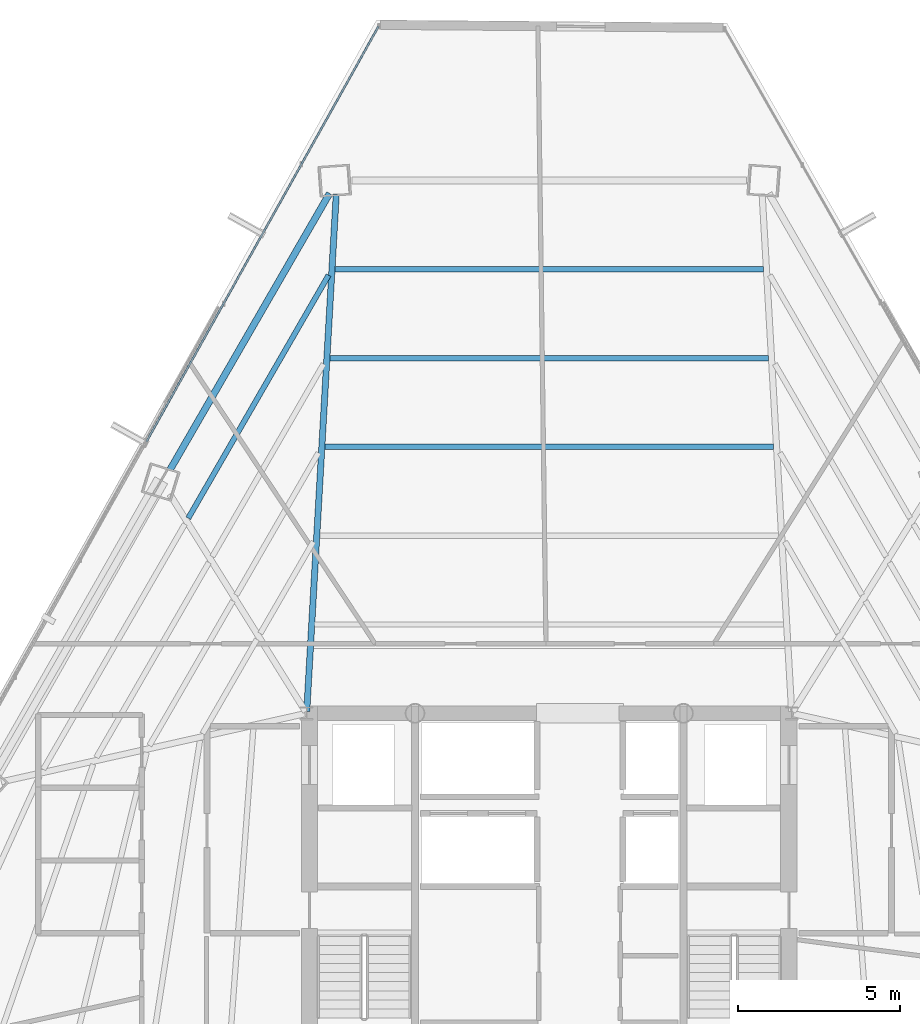
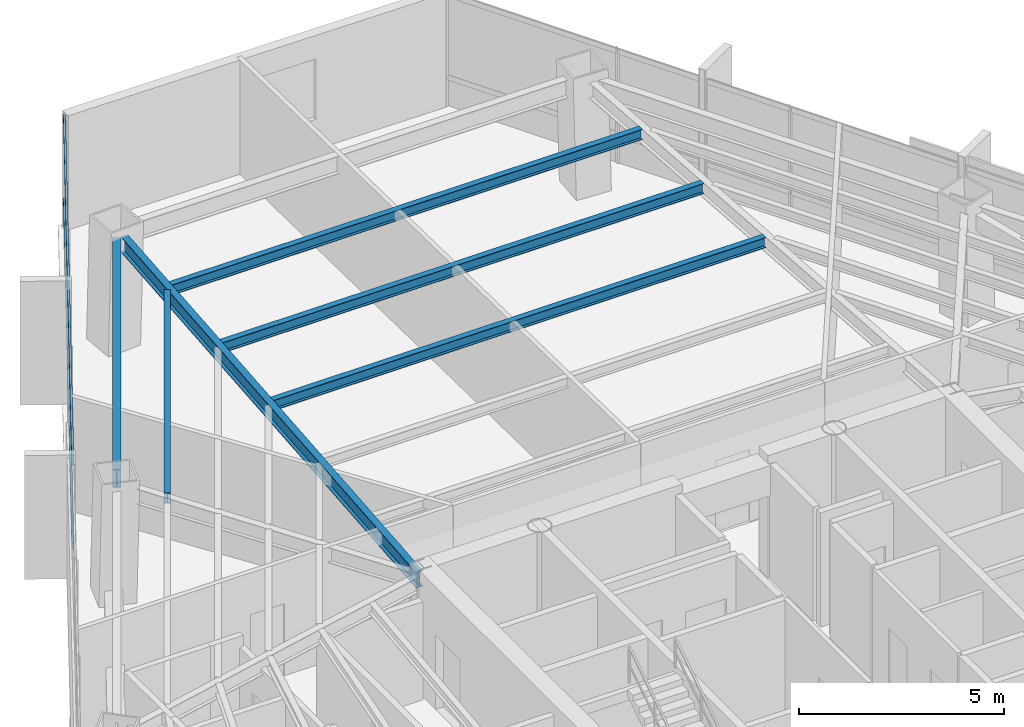
# One storey, part 27 of 39: 6 beams, 2 members, 1 element without a shape of its own.
"""IFC4 building model written with IfcOpenShell, lengths in metres."""

from ifc_helpers import new_model, si_unit, direction, frame, origin, origin_2d, place, context, subcontext, project, spatial, hollow_rectangle, i_section, extrude, source, transform, mapped, material, material_profile, profile_set, type_object, type_shapes, element, aggregate, save


model = new_model("IFC4")

# Units and contexts
model_context = context("Model", 3, precision=1e-05, world=origin(), true_north=direction((0.0, 1.0)))
body_context = subcontext(model_context, "Body", "Model", "MODEL_VIEW")
ifc_project = project(units=[si_unit("LENGTHUNIT", "METRE"), si_unit("AREAUNIT", "SQUARE_METRE"), si_unit("VOLUMEUNIT", "CUBIC_METRE"), si_unit("PLANEANGLEUNIT", "RADIAN"), si_unit("MASSUNIT", "GRAM", prefix="KILO")], contexts=[model_context])

# Site, building, storey
site_placement = place(None, origin())
site = spatial("IfcSite", under=ifc_project, at=site_placement, CompositionType="ELEMENT")
building_placement = place(site_placement, origin())
building = spatial("IfcBuilding", under=site, at=building_placement, Name="Caelisora Broadcast Tower", CompositionType="ELEMENT")
storey_placement = place(building_placement, frame((0.0, 0.0, 139.10009765625)))
storey = spatial("IfcBuildingStorey", under=building, at=storey_placement, Name="L36", CompositionType="ELEMENT", Elevation=139.10009765625)

# Beams
ifc_material_1 = material(Name="Steel Grade 350 (AS/NZS 3679.1)", Category="steel")
ifc_material_profile_1 = material_profile(ifc_material_1, i_section(OverallWidth=0.208984375, OverallDepth=0.532958984375, WebThickness=0.01025390625, FlangeThickness=0.015625, at=origin_2d()), Name="Steel Grade 350 (AS/NZS 3679.1)")
ifc_profile_set_1 = profile_set([ifc_material_profile_1], Name="Steel Grade 350 (AS/NZS 3679.1)")
beam_type_1 = type_object("IfcBeamType", Name="PG05", PredefinedType="BEAM", material=ifc_profile_set_1)
shared_shape_1 = source(origin(), body_context, "Body", "SweptSolid", [
    extrude(i_section(OverallWidth=0.208984375, OverallDepth=0.532958984375, WebThickness=0.01025390625, FlangeThickness=0.015625, at=origin_2d()), origin(), (0.0, 0.0, 1.0), 9.86865234375),
])
type_shapes(beam_type_1, [shared_shape_1])
beam_1_placement = place(storey_placement, frame((31.209228515625, 46.076416015625, 3.13330078125), z_axis=(-0.499994417569, -0.866028626779, 0.0), x_axis=(0.866028626779, -0.499994417569, 0.0)))
element("IfcBeam", 1, at=beam_1_placement, inside=storey, type_object=beam_type_1, Name="L36 beam PG05", PredefinedType="BEAM", context=body_context, shape_type="MappedRepresentation", body=[
    mapped(shared_shape_1, transform((0.0, 0.0, 0.0), scale=1.0)),
])
ifc_material_profile_2 = material_profile(ifc_material_1, i_section(OverallWidth=0.19091796875, OverallDepth=0.46044921875, WebThickness=0.010009765625, FlangeThickness=0.01611328125, at=origin_2d()), Name="Steel Grade 350 (AS/NZS 3679.1)")
ifc_profile_set_2 = profile_set([ifc_material_profile_2], Name="Steel Grade 350 (AS/NZS 3679.1)")
beam_type_2 = type_object("IfcBeamType", Name="PG06", PredefinedType="BEAM", material=ifc_profile_set_2)
shared_shape_2 = source(origin(), body_context, "Body", "SweptSolid", [
    extrude(i_section(OverallWidth=0.19091796875, OverallDepth=0.46044921875, WebThickness=0.010009765625, FlangeThickness=0.01611328125, at=origin_2d()), origin(), (0.0, 0.0, 1.0), 16.021484375),
])
type_shapes(beam_type_2, [shared_shape_2])
beam_2_placement = place(storey_placement, frame((30.50341796875, 30.059814453125, 3.169677734375), z_axis=(0.056914828059, 0.998379037414, 0.0), x_axis=(-0.998379037414, 0.056914828059, 0.0)))
element("IfcBeam", 2, at=beam_2_placement, inside=storey, type_object=beam_type_2, Name="L36 beam PG06", PredefinedType="BEAM", context=body_context, shape_type="MappedRepresentation", body=[
    mapped(shared_shape_2, transform((0.0, 0.0, 0.0), scale=1.0)),
])
ifc_material_profile_3 = material_profile(ifc_material_1, i_section(OverallWidth=0.166015625, OverallDepth=0.30712890625, WebThickness=0.006591796875, FlangeThickness=0.01171875, at=origin_2d()), Name="Steel Grade 350 (AS/NZS 3679.1)")
ifc_profile_set_3 = profile_set([ifc_material_profile_3], Name="Steel Grade 350 (AS/NZS 3679.1)")
beam_type_3 = type_object("IfcBeamType", Name="SB03", PredefinedType="JOIST", material=ifc_profile_set_3)
shared_shape_3 = source(origin(), body_context, "Body", "SweptSolid", [
    extrude(i_section(OverallWidth=0.166015625, OverallDepth=0.30712890625, WebThickness=0.006591796875, FlangeThickness=0.01171875, at=origin_2d()), origin(), (0.0, 0.0, 1.0), 13.87548828125),
])
beam_3_placement = place(storey_placement, frame((44.937744140625, 38.2373046875, 3.246337890625), z_axis=(-1.0, 0.0, 0.0), x_axis=(0.0, -1.0, 0.0)))
element("IfcBeam", 3, at=beam_3_placement, inside=storey, type_object=beam_type_3, Name="L36 beam SB03", PredefinedType="JOIST", context=body_context, shape_type="MappedRepresentation", body=[
    mapped(shared_shape_3, transform((0.0, 0.0, 0.0), scale=1.0)),
])
shared_shape_4 = source(origin(), body_context, "Body", "SweptSolid", [
    extrude(i_section(OverallWidth=0.166015625, OverallDepth=0.30712890625, WebThickness=0.006591796875, FlangeThickness=0.01171875, at=origin_2d()), origin(), (0.0, 0.0, 1.0), 13.5625),
])
beam_4_placement = place(storey_placement, frame((44.78125, 40.983154296875, 3.246337890625), z_axis=(-1.0, 0.0, 0.0), x_axis=(0.0, -1.0, 0.0)))
element("IfcBeam", 4, at=beam_4_placement, inside=storey, type_object=beam_type_3, Name="L36 beam SB03", PredefinedType="JOIST", context=body_context, shape_type="MappedRepresentation", body=[
    mapped(shared_shape_4, transform((0.0, 0.0, 0.0), scale=1.0)),
])
shared_shape_5 = source(origin(), body_context, "Body", "SweptSolid", [
    extrude(i_section(OverallWidth=0.166015625, OverallDepth=0.30712890625, WebThickness=0.006591796875, FlangeThickness=0.01171875, at=origin_2d()), origin(), (0.0, 0.0, 1.0), 13.2490234375),
])
beam_5_placement = place(storey_placement, frame((44.62451171875, 43.72900390625, 3.246337890625), z_axis=(-1.0, 0.0, 0.0), x_axis=(0.0, -1.0, 0.0)))
element("IfcBeam", 5, at=beam_5_placement, inside=storey, type_object=beam_type_3, Name="L36 beam SB03", PredefinedType="JOIST", context=body_context, shape_type="MappedRepresentation", body=[
    mapped(shared_shape_5, transform((0.0, 0.0, 0.0), scale=1.0)),
])
shared_shape_6 = source(origin(), body_context, "Body", "SweptSolid", [
    extrude(i_section(OverallWidth=0.166015625, OverallDepth=0.30712890625, WebThickness=0.006591796875, FlangeThickness=0.01171875, at=origin_2d()), origin(), (0.0, 0.0, 1.0), 8.676025390625),
])
type_shapes(beam_type_3, [shared_shape_3, shared_shape_4, shared_shape_5, shared_shape_6])
beam_6_placement = place(storey_placement, frame((31.177978515625, 43.547607421875, 3.246337890625), z_axis=(-0.50000987935, -0.866019699864, 0.0), x_axis=(0.866019699864, -0.50000987935, 0.0)))
element("IfcBeam", 6, at=beam_6_placement, inside=storey, type_object=beam_type_3, Name="L36 beam SB03", PredefinedType="JOIST", context=body_context, shape_type="MappedRepresentation", body=[
    mapped(shared_shape_6, transform((0.0, 0.0, 0.0), scale=1.0)),
])

# Curtain wall, members
ifc_material_2 = material(Name="Unitised Aluminium and Low-E Glass Curtain Wall", Category="glass")
curtain_wall_type = type_object("IfcCurtainWallType", Name="CW-Z3", PredefinedType="NOTDEFINED", material=ifc_material_2)
curtain_wall_placement = place(storey_placement, origin())
curtain_wall = element("IfcCurtainWall", 7, at=curtain_wall_placement, inside=storey, type_object=curtain_wall_type, Name="L36 curtain wall CW-Z3", PredefinedType="NOTDEFINED")
ifc_material_3 = material(Name="Aluminium 6063-T6 Anodised Terracotta Bronze", Category="aluminium")
ifc_material_profile_4 = material_profile(ifc_material_3, hollow_rectangle(XDim=0.06005859375, YDim=0.14990234375, WallThickness=0.00341796875, at=origin_2d()), Name="Aluminium 6063-T6 Anodised Terracotta Bronze")
ifc_profile_set_4 = profile_set([ifc_material_profile_4], Name="Aluminium 6063-T6 Anodised Terracotta Bronze")
member_type = type_object("IfcMemberType", Name="CWT-02", PredefinedType="USERDEFINED", material=ifc_profile_set_4)
shared_shape_7 = source(origin(), body_context, "Body", "SweptSolid", [
    extrude(hollow_rectangle(XDim=0.06005859375, YDim=0.14990234375, WallThickness=0.00341796875, at=origin_2d()), origin(), (0.0, 0.0, 1.0), 14.712158203125),
])
type_shapes(member_type, [shared_shape_7])
member_1_placement = place(storey_placement, frame((25.5458984375, 38.400390625, 0.849853515625), z_axis=(0.48780982794, 0.872949925119, 0.0), x_axis=(-0.872949925119, 0.48780982794, 0.0)))
member_1 = element("IfcMember", 8, at=member_1_placement, type_object=member_type, Name="L36-CW-B11 transom #1", ObjectType="TRANSOM", PredefinedType="USERDEFINED", context=body_context, shape_type="MappedRepresentation", body=[
    mapped(shared_shape_7, transform((0.0, 0.0, 0.0), scale=1.0)),
])
member_2_placement = place(storey_placement, frame((25.5458984375, 38.400390625, 3.31982421875), z_axis=(0.48780982794, 0.872949925119, 0.0), x_axis=(-0.872949925119, 0.48780982794, 0.0)))
member_2 = element("IfcMember", 9, at=member_2_placement, type_object=member_type, Name="L36-CW-B11 transom #2", ObjectType="TRANSOM", PredefinedType="USERDEFINED", context=body_context, shape_type="MappedRepresentation", body=[
    mapped(shared_shape_7, transform((0.0, 0.0, 0.0), scale=1.0)),
])
aggregate(curtain_wall, [member_1, member_2])

save(model, "model.ifc")
